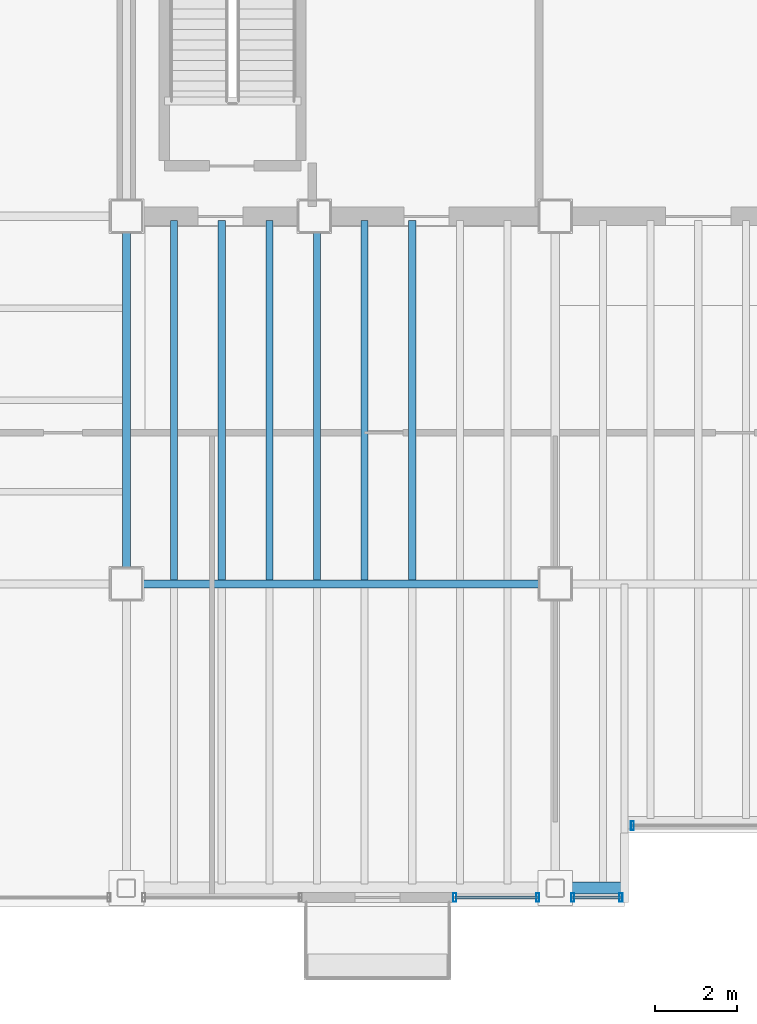
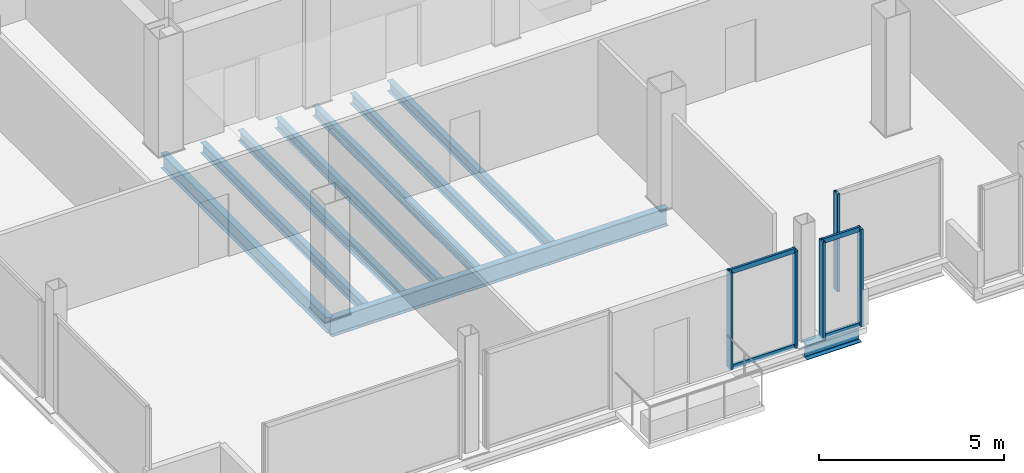
# One storey, part 5 of 16: 9 beams, 9 members, 3 elements without a shape of their own.
"""IFC4 building model written with IfcOpenShell, lengths in metres."""

from ifc_helpers import new_model, si_unit, direction, frame, origin, origin_2d, place, context, subcontext, project, spatial, hollow_rectangle, i_section, extrude, material, material_profile, profile_set, type_object, element, aggregate, save


model = new_model("IFC4")

# Units and contexts
model_context = context("Model", 3, precision=1e-05, world=origin(), true_north=direction((0.0, 1.0)))
body_context = subcontext(model_context, "Body", "Model", "MODEL_VIEW")
ifc_project = project(units=[si_unit("LENGTHUNIT", "METRE"), si_unit("AREAUNIT", "SQUARE_METRE"), si_unit("VOLUMEUNIT", "CUBIC_METRE"), si_unit("PLANEANGLEUNIT", "RADIAN"), si_unit("MASSUNIT", "GRAM", prefix="KILO")], contexts=[model_context])

# Site, building, storey
site_placement = place(None, origin())
site = spatial("IfcSite", under=ifc_project, at=site_placement, CompositionType="ELEMENT")
building_placement = place(site_placement, origin())
building = spatial("IfcBuilding", under=site, at=building_placement, Name="Noeulbin Bourse Tower", CompositionType="ELEMENT")
storey_placement = place(building_placement, frame((0.0, 0.0, 234.5)))
storey = spatial("IfcBuildingStorey", under=building, at=storey_placement, Name="L58", CompositionType="ELEMENT", Elevation=234.5)

# Beams
ifc_material_1 = material(Name="Steel S355", Category="steel")
ifc_material_profile_1 = material_profile(ifc_material_1, i_section(OverallWidth=0.199951171875, OverallDepth=0.5, WebThickness=0.010009765625, FlangeThickness=0.01611328125, FilletRadius=0.02001953125, at=origin_2d()), Name="H-500x200x10x16", Category="LoadBearing")
ifc_profile_set_1 = profile_set([ifc_material_profile_1], Name="Steel S355")
beam_type_1 = type_object("IfcBeamType", Name="BM-GRD-500", PredefinedType="USERDEFINED", material=ifc_profile_set_1)
beam_1_placement = place(storey_placement, frame((13.5, 20.0, -0.429931640625), z_axis=(0.0, 1.0, 0.0), x_axis=(-1.0, 0.0, 0.0)))
element("IfcBeam", 1, at=beam_1_placement, inside=storey, type_object=beam_type_1, Name="Tower Primary Girder NS L58-1.2", ObjectType="GIRDER", PredefinedType="USERDEFINED", context=body_context, shape_type="SweptSolid", body=[
    extrude(i_section(OverallWidth=0.199951171875, OverallDepth=0.5, WebThickness=0.010009765625, FlangeThickness=0.01611328125, FilletRadius=0.02001953125, at=origin_2d()), origin(), (0.0, 0.0, 1.0), 9.0),
])
ifc_material_profile_2 = material_profile(ifc_material_1, i_section(OverallWidth=0.199951171875, OverallDepth=0.60009765625, WebThickness=0.010986328125, FlangeThickness=0.01708984375, FilletRadius=0.02197265625, at=origin_2d()), Name="H-600x200x11x17", Category="LoadBearing")
ifc_profile_set_2 = profile_set([ifc_material_profile_2], Name="Steel S355")
beam_type_2 = type_object("IfcBeamType", Name="BM-GRD-600", PredefinedType="USERDEFINED", material=ifc_profile_set_2)
beam_2_placement = place(storey_placement, frame((13.5, 20.0, -0.47998046875), z_axis=(1.0, 0.0, 0.0), x_axis=(0.0, 1.0, 0.0)))
element("IfcBeam", 2, at=beam_2_placement, inside=storey, type_object=beam_type_2, Name="Tower Primary Girder EW L58-1.2", ObjectType="GIRDER", PredefinedType="USERDEFINED", context=body_context, shape_type="SweptSolid", body=[
    extrude(i_section(OverallWidth=0.199951171875, OverallDepth=0.60009765625, WebThickness=0.010986328125, FlangeThickness=0.01708984375, FilletRadius=0.02197265625, at=origin_2d()), origin(), (0.0, 0.0, 1.0), 10.5),
])
ifc_material_profile_3 = material_profile(ifc_material_1, i_section(OverallWidth=0.175048828125, OverallDepth=0.35009765625, WebThickness=0.007080078125, FlangeThickness=0.010986328125, FilletRadius=0.013916015625, at=origin_2d()), Name="H-350x175x7x11", Category="LoadBearing")
ifc_profile_set_3 = profile_set([ifc_material_profile_3], Name="Steel S355")
beam_type_3 = type_object("IfcBeamType", Name="BM-JST-350", PredefinedType="JOIST", material=ifc_profile_set_3)
for number, where, z_axis, x_axis, name in (
    (3, (14.666748046875, 20.10009765625, -0.35498046875), (0.0, 1.0, 0.0), (-1.0, 0.0, 0.0), "Tower Composite Joist L58-02"),
    (4, (15.833251953125, 20.10009765625, -0.35498046875), (0.0, 1.0, 0.0), (-1.0, 0.0, 0.0), "Tower Composite Joist L58-04"),
    (5, (17.0, 20.10009765625, -0.35498046875), (0.0, 1.0, 0.0), (-1.0, 0.0, 0.0), "Tower Composite Joist L58-06"),
    (6, (18.166748046875, 20.10009765625, -0.35498046875), (0.0, 1.0, 0.0), (-1.0, 0.0, 0.0), "Tower Composite Joist L58-08"),
    (7, (19.333251953125, 20.10009765625, -0.35498046875), (0.0, 1.0, 0.0), (-1.0, 0.0, 0.0), "Tower Composite Joist L58-10"),
    (8, (20.5, 20.10009765625, -0.35498046875), (0.0, 1.0, 0.0), (-1.0, 0.0, 0.0), "Tower Composite Joist L58-12"),
):
    element("IfcBeam", number, at=place(storey_placement, frame(where, z_axis=z_axis, x_axis=x_axis)), inside=storey, type_object=beam_type_3, Name=name, PredefinedType="JOIST", context=body_context, shape_type="SweptSolid", body=[
        extrude(i_section(OverallWidth=0.175048828125, OverallDepth=0.35009765625, WebThickness=0.007080078125, FlangeThickness=0.010986328125, FilletRadius=0.013916015625, at=origin_2d()), origin(), (0.0, 0.0, 1.0), 8.7998046875),
    ])
ifc_material_profile_4 = material_profile(ifc_material_1, i_section(OverallWidth=0.300048828125, OverallDepth=0.488037109375, WebThickness=0.010986328125, FlangeThickness=0.01806640625, FilletRadius=0.02197265625, at=origin_2d()), Name="H-488x300x11x18", Category="LoadBearing")
ifc_profile_set_4 = profile_set([ifc_material_profile_4], Name="Steel S355")
beam_type_4 = type_object("IfcBeamType", Name="BM-SPN-488", PredefinedType="SPANDREL", material=ifc_profile_set_4)
beam_3_placement = place(storey_placement, frame((24.0, 12.550048828125, -0.424072265625), z_axis=(1.0, 0.0, 0.0), x_axis=(0.0, 1.0, 0.0)))
element("IfcBeam", 9, at=beam_3_placement, inside=storey, type_object=beam_type_4, Name="South Spandrel L58-2A", PredefinedType="SPANDREL", context=body_context, shape_type="SweptSolid", body=[
    extrude(i_section(OverallWidth=0.300048828125, OverallDepth=0.488037109375, WebThickness=0.010986328125, FlangeThickness=0.01806640625, FilletRadius=0.02197265625, at=origin_2d()), origin(), (0.0, 0.0, 1.0), 1.699951171875),
])

# Curtain wall, member
ifc_material_2 = material(Name="High-Selectivity Low-Iron Glazing", Category="glass")
curtain_wall_type = type_object("IfcCurtainWallType", Name="CW-SYS-4", PredefinedType="NOTDEFINED", material=ifc_material_2)
curtain_wall_1_placement = place(storey_placement, origin())
curtain_wall_1 = element("IfcCurtainWall", 10, at=curtain_wall_1_placement, inside=storey, type_object=curtain_wall_type, Name="Unitised Curtain Wall CW-L58-SREC", PredefinedType="NOTDEFINED")
ifc_material_3 = material(Name="Anodised Aluminium 6063-T6", Category="aluminium")
ifc_material_profile_5 = material_profile(ifc_material_3, hollow_rectangle(XDim=0.074951171875, YDim=0.219970703125, WallThickness=0.0048828125, InnerFilletRadius=0.00244140625, OuterFilletRadius=0.0048828125, at=origin_2d()), Name="ALU-MULL-75x220x5", Category="LoadBearing")
ifc_profile_set_5 = profile_set([ifc_material_profile_5], Name="Anodised Aluminium 6063-T6")
member_type_1 = type_object("IfcMemberType", Name="CW-SYS-4-MUL", PredefinedType="MULLION", material=ifc_profile_set_5)
member_1_placement = place(storey_placement, frame((25.889892578125, 14.080078125, -0.02001953125), z_axis=(0.0, 0.0, 1.0), x_axis=(1.0, 0.0, 0.0)))
member_1 = element("IfcMember", 11, at=member_1_placement, type_object=member_type_1, Name="Curtain Wall Mullion CW-L58-SREC-M00", PredefinedType="MULLION", context=body_context, shape_type="SweptSolid", body=[
    extrude(hollow_rectangle(XDim=0.074951171875, YDim=0.219970703125, WallThickness=0.0048828125, InnerFilletRadius=0.00244140625, OuterFilletRadius=0.0048828125, at=origin_2d()), origin(), (0.0, 0.0, 1.0), 3.219970703125),
])
aggregate(curtain_wall_1, [member_1])

# Curtain wall, members
curtain_wall_2_placement = place(storey_placement, origin())
curtain_wall_2 = element("IfcCurtainWall", 12, at=curtain_wall_2_placement, inside=storey, type_object=curtain_wall_type, Name="Unitised Curtain Wall CW-L58-S2-S1", PredefinedType="NOTDEFINED")
member_2_placement = place(storey_placement, frame((21.5400390625, 12.320068359375, -0.02001953125), z_axis=(0.0, 0.0, 1.0), x_axis=(1.0, 0.0, 0.0)))
member_2 = element("IfcMember", 13, at=member_2_placement, type_object=member_type_1, Name="Curtain Wall Mullion CW-L58-S2-S1-M00", PredefinedType="MULLION", context=body_context, shape_type="SweptSolid", body=[
    extrude(hollow_rectangle(XDim=0.074951171875, YDim=0.219970703125, WallThickness=0.0048828125, InnerFilletRadius=0.00244140625, OuterFilletRadius=0.0048828125, at=origin_2d()), origin(), (0.0, 0.0, 1.0), 3.219970703125),
])
member_3_placement = place(storey_placement, frame((23.574951171875, 12.320068359375, -0.02001953125), z_axis=(0.0, 0.0, 1.0), x_axis=(1.0, 0.0, 0.0)))
member_3 = element("IfcMember", 14, at=member_3_placement, type_object=member_type_1, Name="Curtain Wall Mullion CW-L58-S2-S1-M01", PredefinedType="MULLION", context=body_context, shape_type="SweptSolid", body=[
    extrude(hollow_rectangle(XDim=0.074951171875, YDim=0.219970703125, WallThickness=0.0048828125, InnerFilletRadius=0.00244140625, OuterFilletRadius=0.0048828125, at=origin_2d()), origin(), (0.0, 0.0, 1.0), 3.219970703125),
])

curtain_wall_3_placement = place(storey_placement, origin())
curtain_wall_3 = element("IfcCurtainWall", 15, at=curtain_wall_3_placement, inside=storey, type_object=curtain_wall_type, Name="Unitised Curtain Wall CW-L58-S2-S2", PredefinedType="NOTDEFINED")
member_4_placement = place(storey_placement, frame((24.425048828125, 12.320068359375, -0.02001953125), z_axis=(0.0, 0.0, 1.0), x_axis=(1.0, 0.0, 0.0)))
member_4 = element("IfcMember", 16, at=member_4_placement, type_object=member_type_1, Name="Curtain Wall Mullion CW-L58-S2-S2-M00", PredefinedType="MULLION", context=body_context, shape_type="SweptSolid", body=[
    extrude(hollow_rectangle(XDim=0.074951171875, YDim=0.219970703125, WallThickness=0.0048828125, InnerFilletRadius=0.00244140625, OuterFilletRadius=0.0048828125, at=origin_2d()), origin(), (0.0, 0.0, 1.0), 3.219970703125),
])
member_5_placement = place(storey_placement, frame((25.610107421875, 12.320068359375, -0.02001953125), z_axis=(0.0, 0.0, 1.0), x_axis=(1.0, 0.0, 0.0)))
member_5 = element("IfcMember", 17, at=member_5_placement, type_object=member_type_1, Name="Curtain Wall Mullion CW-L58-S2-S2-M01", PredefinedType="MULLION", context=body_context, shape_type="SweptSolid", body=[
    extrude(hollow_rectangle(XDim=0.074951171875, YDim=0.219970703125, WallThickness=0.0048828125, InnerFilletRadius=0.00244140625, OuterFilletRadius=0.0048828125, at=origin_2d()), origin(), (0.0, 0.0, 1.0), 3.219970703125),
])

# Member
ifc_material_profile_6 = material_profile(ifc_material_3, hollow_rectangle(XDim=0.074951171875, YDim=0.159912109375, WallThickness=0.0048828125, InnerFilletRadius=0.00244140625, OuterFilletRadius=0.0048828125, at=origin_2d()), Name="ALU-TRAN-75x160x5", Category="LoadBearing")
ifc_profile_set_6 = profile_set([ifc_material_profile_6], Name="Anodised Aluminium 6063-T6")
member_type_2 = type_object("IfcMemberType", Name="CW-SYS-4-TRN", PredefinedType="USERDEFINED", material=ifc_profile_set_6)
member_6_placement = place(storey_placement, frame((21.550048828125, 12.320068359375, 0.010009765625), z_axis=(1.0, 0.0, 0.0), x_axis=(0.0, 1.0, 0.0)))
member_6 = element("IfcMember", 18, at=member_6_placement, type_object=member_type_2, Name="Curtain Wall Transom CW-L58-S2-S1-T00", ObjectType="TRANSOM", PredefinedType="USERDEFINED", context=body_context, shape_type="SweptSolid", body=[
    extrude(hollow_rectangle(XDim=0.074951171875, YDim=0.159912109375, WallThickness=0.0048828125, InnerFilletRadius=0.00244140625, OuterFilletRadius=0.0048828125, at=origin_2d()), origin(), (0.0, 0.0, 1.0), 2.014892578125),
])

member_7_placement = place(storey_placement, frame((21.550048828125, 12.320068359375, 3.169921875), z_axis=(1.0, 0.0, 0.0), x_axis=(0.0, 1.0, 0.0)))
member_7 = element("IfcMember", 19, at=member_7_placement, type_object=member_type_2, Name="Curtain Wall Transom CW-L58-S2-S1-T01", ObjectType="TRANSOM", PredefinedType="USERDEFINED", context=body_context, shape_type="SweptSolid", body=[
    extrude(hollow_rectangle(XDim=0.074951171875, YDim=0.159912109375, WallThickness=0.0048828125, InnerFilletRadius=0.00244140625, OuterFilletRadius=0.0048828125, at=origin_2d()), origin(), (0.0, 0.0, 1.0), 2.014892578125),
])

aggregate(curtain_wall_2, [member_2, member_3, member_6, member_7])

member_8_placement = place(storey_placement, frame((24.43505859375, 12.320068359375, 0.010009765625), z_axis=(1.0, 0.0, 0.0), x_axis=(0.0, 1.0, 0.0)))
member_8 = element("IfcMember", 20, at=member_8_placement, type_object=member_type_2, Name="Curtain Wall Transom CW-L58-S2-S2-T00", ObjectType="TRANSOM", PredefinedType="USERDEFINED", context=body_context, shape_type="SweptSolid", body=[
    extrude(hollow_rectangle(XDim=0.074951171875, YDim=0.159912109375, WallThickness=0.0048828125, InnerFilletRadius=0.00244140625, OuterFilletRadius=0.0048828125, at=origin_2d()), origin(), (0.0, 0.0, 1.0), 1.1650390625),
])

member_9_placement = place(storey_placement, frame((24.43505859375, 12.320068359375, 3.169921875), z_axis=(1.0, 0.0, 0.0), x_axis=(0.0, 1.0, 0.0)))
member_9 = element("IfcMember", 21, at=member_9_placement, type_object=member_type_2, Name="Curtain Wall Transom CW-L58-S2-S2-T01", ObjectType="TRANSOM", PredefinedType="USERDEFINED", context=body_context, shape_type="SweptSolid", body=[
    extrude(hollow_rectangle(XDim=0.074951171875, YDim=0.159912109375, WallThickness=0.0048828125, InnerFilletRadius=0.00244140625, OuterFilletRadius=0.0048828125, at=origin_2d()), origin(), (0.0, 0.0, 1.0), 1.1650390625),
])

aggregate(curtain_wall_3, [member_4, member_5, member_8, member_9])

save(model, "model.ifc")
